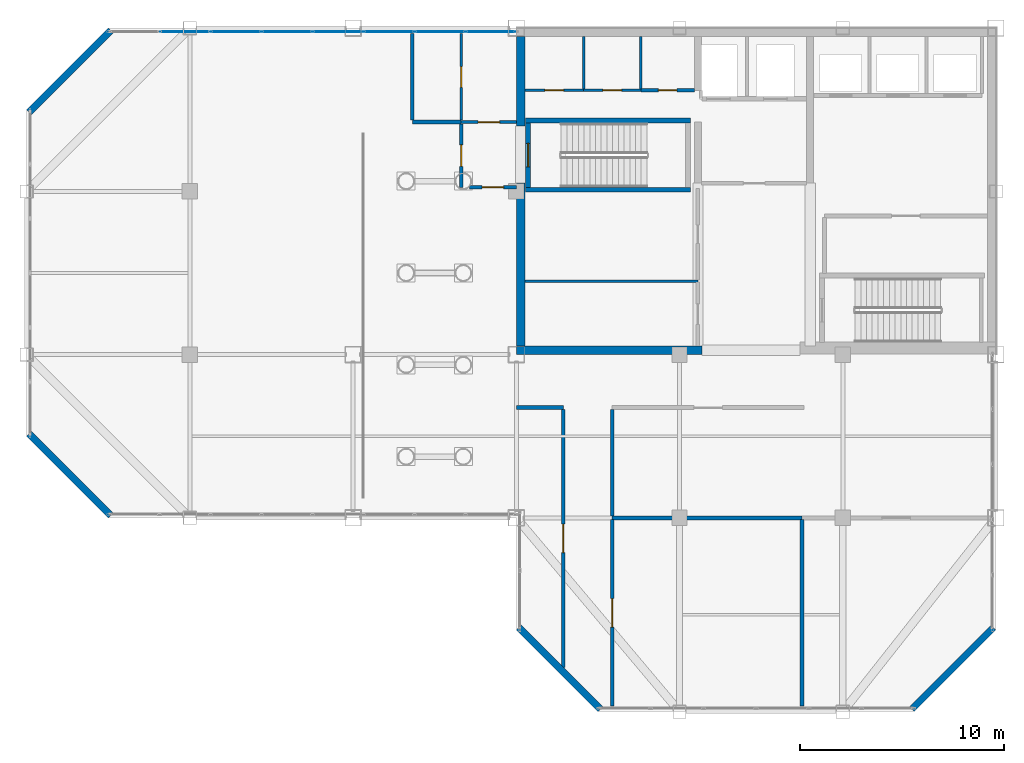
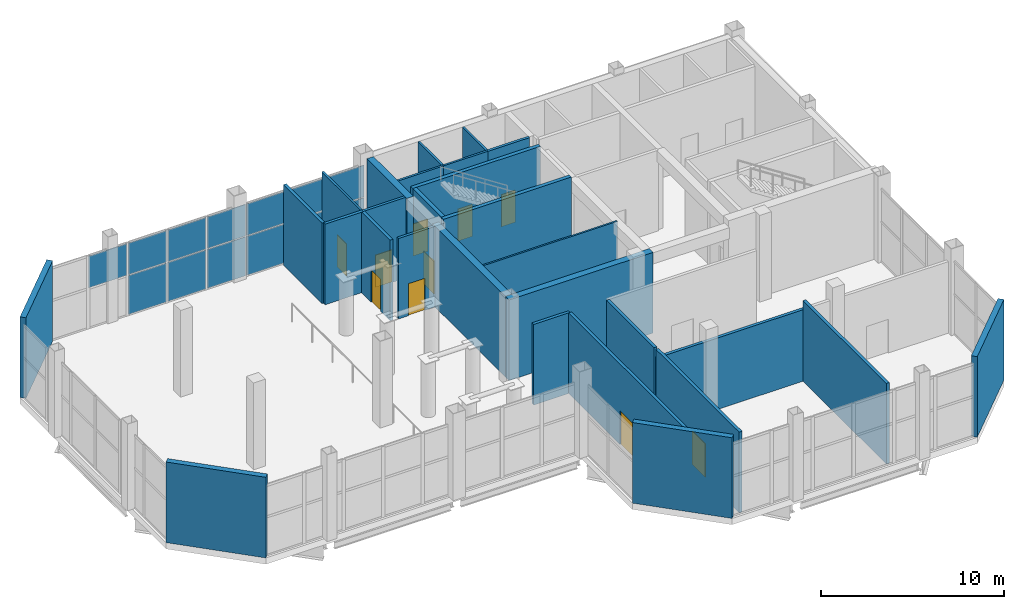
# One storey, part 14 of 18: 28 walls, 13 plates, 10 doors, 10 openings, 1 element without a shape of its own.
"""IFC4 building model written with IfcOpenShell, lengths in metres."""

from ifc_helpers import new_model, si_unit, direction, frame, frame_2d, origin, origin_2d, place, context, subcontext, project, spatial, rectangle, extrude, material, layer, layer_set, type_object, element, fill, aggregate, save


model = new_model("IFC4")

# Units and contexts
model_context = context("Model", 3, precision=1e-05, world=origin(), true_north=direction((0.0, 1.0)))
body_context = subcontext(model_context, "Body", "Model", "MODEL_VIEW")
ifc_project = project(units=[si_unit("LENGTHUNIT", "METRE"), si_unit("AREAUNIT", "SQUARE_METRE"), si_unit("VOLUMEUNIT", "CUBIC_METRE"), si_unit("PLANEANGLEUNIT", "RADIAN"), si_unit("MASSUNIT", "GRAM", prefix="KILO")], contexts=[model_context])

# Site, building, storey
site_placement = place(None, origin())
site = spatial("IfcSite", under=ifc_project, at=site_placement, CompositionType="ELEMENT")
building_placement = place(site_placement, origin())
building = spatial("IfcBuilding", under=site, at=building_placement, Name="Qianrong Seaharbour Tower", CompositionType="ELEMENT")
storey_placement = place(building_placement, frame((0.0, 0.0, 367.199951171875)))
storey = spatial("IfcBuildingStorey", under=building, at=storey_placement, Name="L89", CompositionType="ELEMENT", Elevation=367.199951171875)

# Curtain wall, plates
ifc_material_1 = material(Name="Anodised aluminium 6063-T6 and laminated low-e glass", Category="aluminium")
ifc_layer_1 = layer(ifc_material_1, 0.22998046875)
ifc_layer_set_1 = layer_set([ifc_layer_1], Name="Anodised aluminium 6063-T6 and laminated low-e glass")
curtain_wall_type = type_object("IfcCurtainWallType", Name="CW-SYS-5", PredefinedType="NOTDEFINED", material=ifc_layer_set_1)
curtain_wall_placement = place(storey_placement, origin())
curtain_wall = element("IfcCurtainWall", 1, at=curtain_wall_placement, inside=storey, type_object=curtain_wall_type, Name="L89 Venturi Wind-Turbine Shroud Curtain Wall NORTH_WING", PredefinedType="NOTDEFINED")
ifc_material_2 = material(Name="Anodised aluminium acoustic louvre cassette", Category="aluminium")
ifc_layer_2 = layer(ifc_material_2, 0.044921875)
ifc_layer_set_2 = layer_set([ifc_layer_2], Name="Anodised aluminium acoustic louvre cassette")
plate_type = type_object("IfcPlateType", Name="CW-PAN-LOUVRE-45", PredefinedType="CURTAIN_PANEL", material=ifc_layer_set_2)
plate_1_placement = place(storey_placement, frame((24.253662109375, 51.830078125, 2.7275390625), z_axis=(0.0, 0.0, 1.0), x_axis=(1.0, 0.0, 0.0)))
plate_1 = element("IfcPlate", 2, at=plate_1_placement, type_object=plate_type, Name="CW-5 panel 2.2", PredefinedType="CURTAIN_PANEL", context=body_context, shape_type="SweptSolid", body=[
    extrude(rectangle(XDim=2.422607421875, YDim=0.044921875, at=origin_2d()), origin(), (0.0, 0.0, 1.0), 2.107421875),
])
plate_2_placement = place(storey_placement, frame((26.75634765625, 51.830078125, 0.06494140625), z_axis=(0.0, 0.0, 1.0), x_axis=(1.0, 0.0, 0.0)))
plate_2 = element("IfcPlate", 3, at=plate_2_placement, type_object=plate_type, Name="CW-5 panel 3.1", PredefinedType="CURTAIN_PANEL", context=body_context, shape_type="SweptSolid", body=[
    extrude(rectangle(XDim=2.422607421875, YDim=0.044921875, at=origin_2d()), origin(), (0.0, 0.0, 1.0), 2.597412109375),
])
plate_3_placement = place(storey_placement, frame((26.75634765625, 51.830078125, 2.7275390625), z_axis=(0.0, 0.0, 1.0), x_axis=(1.0, 0.0, 0.0)))
plate_3 = element("IfcPlate", 4, at=plate_3_placement, type_object=plate_type, Name="CW-5 panel 3.2", PredefinedType="CURTAIN_PANEL", context=body_context, shape_type="SweptSolid", body=[
    extrude(rectangle(XDim=2.422607421875, YDim=0.044921875, at=origin_2d()), origin(), (0.0, 0.0, 1.0), 2.107421875),
])
plate_4_placement = place(storey_placement, frame((29.2587890625, 51.830078125, 0.06494140625), z_axis=(0.0, 0.0, 1.0), x_axis=(1.0, 0.0, 0.0)))
plate_4 = element("IfcPlate", 5, at=plate_4_placement, type_object=plate_type, Name="CW-5 panel 4.1", PredefinedType="CURTAIN_PANEL", context=body_context, shape_type="SweptSolid", body=[
    extrude(rectangle(XDim=2.422607421875, YDim=0.044921875, at=origin_2d()), origin(), (0.0, 0.0, 1.0), 2.597412109375),
])
plate_5_placement = place(storey_placement, frame((29.2587890625, 51.830078125, 2.7275390625), z_axis=(0.0, 0.0, 1.0), x_axis=(1.0, 0.0, 0.0)))
plate_5 = element("IfcPlate", 6, at=plate_5_placement, type_object=plate_type, Name="CW-5 panel 4.2", PredefinedType="CURTAIN_PANEL", context=body_context, shape_type="SweptSolid", body=[
    extrude(rectangle(XDim=2.422607421875, YDim=0.044921875, at=origin_2d()), origin(), (0.0, 0.0, 1.0), 2.107421875),
])
plate_6_placement = place(storey_placement, frame((31.76123046875, 51.830078125, 0.06494140625), z_axis=(0.0, 0.0, 1.0), x_axis=(1.0, 0.0, 0.0)))
plate_6 = element("IfcPlate", 7, at=plate_6_placement, type_object=plate_type, Name="CW-5 panel 5.1", PredefinedType="CURTAIN_PANEL", context=body_context, shape_type="SweptSolid", body=[
    extrude(rectangle(XDim=2.422607421875, YDim=0.044921875, at=origin_2d()), origin(), (0.0, 0.0, 1.0), 2.597412109375),
])
plate_7_placement = place(storey_placement, frame((31.76123046875, 51.830078125, 2.7275390625), z_axis=(0.0, 0.0, 1.0), x_axis=(1.0, 0.0, 0.0)))
plate_7 = element("IfcPlate", 8, at=plate_7_placement, type_object=plate_type, Name="CW-5 panel 5.2", PredefinedType="CURTAIN_PANEL", context=body_context, shape_type="SweptSolid", body=[
    extrude(rectangle(XDim=2.422607421875, YDim=0.044921875, at=origin_2d()), origin(), (0.0, 0.0, 1.0), 2.107421875),
])
plate_8_placement = place(storey_placement, frame((34.263671875, 51.830078125, 0.06494140625), z_axis=(0.0, 0.0, 1.0), x_axis=(1.0, 0.0, 0.0)))
plate_8 = element("IfcPlate", 9, at=plate_8_placement, type_object=plate_type, Name="CW-5 panel 6.1", PredefinedType="CURTAIN_PANEL", context=body_context, shape_type="SweptSolid", body=[
    extrude(rectangle(XDim=2.422607421875, YDim=0.044921875, at=origin_2d()), origin(), (0.0, 0.0, 1.0), 2.597412109375),
])
plate_9_placement = place(storey_placement, frame((34.263671875, 51.830078125, 2.7275390625), z_axis=(0.0, 0.0, 1.0), x_axis=(1.0, 0.0, 0.0)))
plate_9 = element("IfcPlate", 10, at=plate_9_placement, type_object=plate_type, Name="CW-5 panel 6.2", PredefinedType="CURTAIN_PANEL", context=body_context, shape_type="SweptSolid", body=[
    extrude(rectangle(XDim=2.422607421875, YDim=0.044921875, at=origin_2d()), origin(), (0.0, 0.0, 1.0), 2.107421875),
])
plate_10_placement = place(storey_placement, frame((36.766357421875, 51.830078125, 0.06494140625), z_axis=(0.0, 0.0, 1.0), x_axis=(1.0, 0.0, 0.0)))
plate_10 = element("IfcPlate", 11, at=plate_10_placement, type_object=plate_type, Name="CW-5 panel 7.1", PredefinedType="CURTAIN_PANEL", context=body_context, shape_type="SweptSolid", body=[
    extrude(rectangle(XDim=2.422607421875, YDim=0.044921875, at=origin_2d()), origin(), (0.0, 0.0, 1.0), 2.597412109375),
])
plate_11_placement = place(storey_placement, frame((36.766357421875, 51.830078125, 2.7275390625), z_axis=(0.0, 0.0, 1.0), x_axis=(1.0, 0.0, 0.0)))
plate_11 = element("IfcPlate", 12, at=plate_11_placement, type_object=plate_type, Name="CW-5 panel 7.2", PredefinedType="CURTAIN_PANEL", context=body_context, shape_type="SweptSolid", body=[
    extrude(rectangle(XDim=2.422607421875, YDim=0.044921875, at=origin_2d()), origin(), (0.0, 0.0, 1.0), 2.107421875),
])
plate_12_placement = place(storey_placement, frame((39.248779296875, 51.830078125, 0.06494140625), z_axis=(0.0, 0.0, 1.0), x_axis=(1.0, 0.0, 0.0)))
plate_12 = element("IfcPlate", 13, at=plate_12_placement, type_object=plate_type, Name="CW-5 panel 8.1", PredefinedType="CURTAIN_PANEL", context=body_context, shape_type="SweptSolid", body=[
    extrude(rectangle(XDim=2.382568359375, YDim=0.044921875, at=origin_2d()), origin(), (0.0, 0.0, 1.0), 2.597412109375),
])
plate_13_placement = place(storey_placement, frame((39.248779296875, 51.830078125, 2.7275390625), z_axis=(0.0, 0.0, 1.0), x_axis=(1.0, 0.0, 0.0)))
plate_13 = element("IfcPlate", 14, at=plate_13_placement, type_object=plate_type, Name="CW-5 panel 8.2", PredefinedType="CURTAIN_PANEL", context=body_context, shape_type="SweptSolid", body=[
    extrude(rectangle(XDim=2.382568359375, YDim=0.044921875, at=origin_2d()), origin(), (0.0, 0.0, 1.0), 2.107421875),
])
aggregate(curtain_wall, [plate_1, plate_2, plate_3, plate_4, plate_5, plate_6, plate_7, plate_8, plate_9, plate_10, plate_11, plate_12, plate_13])

# Walls
ifc_material_3 = material(Name="Concrete C50/60", Category="concrete")
ifc_layer_3 = layer(ifc_material_3, 0.419921875)
ifc_layer_set_3 = layer_set([ifc_layer_3], Name="Concrete C50/60")
wall_type_1 = type_object("IfcWallType", Name="WALL-CORE-420", PredefinedType="SHEAR", material=ifc_layer_set_3)
wall_1_placement = place(storey_placement, frame((40.7099609375, 36.419921875, 0.0), z_axis=(0.0, 0.0, 1.0), x_axis=(0.0, 1.0, 0.0)))
element("IfcWall", 15, at=wall_1_placement, inside=storey, type_object=wall_type_1, Name="L89 West Core Shear Wall South", PredefinedType="SHEAR", context=body_context, shape_type="SweptSolid", body=[
    extrude(rectangle(XDim=7.97998046875, YDim=0.419921875, at=frame_2d((3.989990234375, 0.0))), origin(), (0.0, 0.0, 1.0), 5.39013671875),
])
wall_2_placement = place(storey_placement, frame((40.7099609375, 47.199951171875, 0.0), z_axis=(0.0, 0.0, 1.0), x_axis=(0.0, 1.0, 0.0)))
element("IfcWall", 16, at=wall_2_placement, inside=storey, type_object=wall_type_1, Name="L89 West Core Shear Wall North", PredefinedType="SHEAR", context=body_context, shape_type="SweptSolid", body=[
    extrude(rectangle(XDim=4.380126953125, YDim=0.419921875, at=frame_2d((2.18994140625, 0.0))), origin(), (0.0, 0.0, 1.0), 5.39013671875),
])
wall_3_placement = place(storey_placement, frame((40.5, 36.2099609375, 0.0), z_axis=(0.0, 0.0, 1.0), x_axis=(1.0, 0.0, 0.0)))
element("IfcWall", 17, at=wall_3_placement, inside=storey, type_object=wall_type_1, Name="L89 South Core Shear Wall S1", PredefinedType="SHEAR", context=body_context, shape_type="SweptSolid", body=[
    extrude(rectangle(XDim=9.10009765625, YDim=0.419921875, at=frame_2d((4.550048828125, 0.0))), origin(), (0.0, 0.0, 1.0), 5.39013671875),
])

# Wall, opening, door
ifc_material_4 = material(Name="Fire-rated acoustic gypsum board partition")
ifc_layer_4 = layer(ifc_material_4, 0.1650390625)
ifc_layer_set_4 = layer_set([ifc_layer_4], Name="Fire-rated acoustic gypsum board partition")
wall_type_2 = type_object("IfcWallType", Name="WALL-CORR-PART-165", PredefinedType="PARTITIONING", material=ifc_layer_set_4)
wall_4_placement = place(storey_placement, frame((37.800048828125, 47.39990234375, 0.0), z_axis=(0.0, 0.0, 1.0), x_axis=(1.0, 0.0, 0.0)))
wall_4 = element("IfcWall", 18, at=wall_4_placement, inside=storey, type_object=wall_type_2, Name="L89 Interior Partition Wall 001", PredefinedType="PARTITIONING", context=body_context, shape_type="SweptSolid", body=[
    extrude(rectangle(XDim=2.699951171875, YDim=0.1650390625, at=frame_2d((1.35009765625, 0.0))), origin(), (0.0, 0.0, 1.0), 5.39013671875),
])
opening_1_placement = place(wall_4_placement, frame((0.824951171875, 0.0, 0.0)))
opening_1 = element("IfcOpeningElement", 19, at=opening_1_placement, cuts=wall_4, Name="Opening DC-01", PredefinedType="OPENING", context=body_context, shape_type="SweptSolid", body=[
    extrude(rectangle(XDim=1.050048828125, YDim=2.14990234375, at=frame_2d((0.52490234375, 1.074951171875))), frame((0.0, 0.092529296875, 0.0), z_axis=(0.0, -1.0, 0.0), x_axis=(1.0, 0.0, 0.0)), (0.0, 0.0, 1.0), 0.18505859375),
])
ifc_material_5 = material(Name="Acoustic timber and galvanized steel fire door assembly", Category="steel")
door_type_1 = type_object("IfcDoorType", Name="DOOR-CORR-FD60-1050x2150", OperationType="NOTDEFINED", PredefinedType="DOOR", material=ifc_material_5)
door_1_placement = place(opening_1_placement, origin())
door_1 = element("IfcDoor", 20, at=door_1_placement, inside=storey, type_object=door_type_1, Name="L89 Smokeproof Stair Vestibule ST-1 Door", OperationType="SINGLE_SWING_RIGHT", OverallHeight=2.14990234375, OverallWidth=1.050048828125, PredefinedType="DOOR", context=body_context, shape_type="SweptSolid", body=[
    extrude(rectangle(XDim=1.050048828125, YDim=2.14990234375, at=frame_2d((0.52490234375, 1.074951171875))), frame((0.0, 0.02490234375, 0.0), z_axis=(0.0, -1.0, 0.0), x_axis=(1.0, 0.0, 0.0)), (0.0, 0.0, 1.0), 0.050048828125),
])
fill(opening_1, door_1)

wall_5_placement = place(storey_placement, frame((40.5, 44.199951171875, 0.0), z_axis=(0.0, 0.0, 1.0), x_axis=(-1.0, 0.0, 0.0)))
wall_5 = element("IfcWall", 21, at=wall_5_placement, inside=storey, type_object=wall_type_2, Name="L89 Interior Partition Wall 002", PredefinedType="PARTITIONING", context=body_context, shape_type="SweptSolid", body=[
    extrude(rectangle(XDim=2.300048828125, YDim=0.1650390625, at=frame_2d((1.14990234375, 0.0))), origin(), (0.0, 0.0, 1.0), 5.39013671875),
])
opening_2_placement = place(wall_5_placement, frame((0.625, 0.0, 0.0)))
opening_2 = element("IfcOpeningElement", 22, at=opening_2_placement, cuts=wall_5, Name="Opening DC-01", PredefinedType="OPENING", context=body_context, shape_type="SweptSolid", body=[
    extrude(rectangle(XDim=1.050048828125, YDim=2.14990234375, at=frame_2d((0.52490234375, 1.074951171875))), frame((0.0, 0.092529296875, 0.0), z_axis=(0.0, -1.0, 0.0), x_axis=(1.0, 0.0, 0.0)), (0.0, 0.0, 1.0), 0.18505859375),
])
door_2_placement = place(opening_2_placement, origin())
door_2 = element("IfcDoor", 23, at=door_2_placement, inside=storey, type_object=door_type_1, Name="L89 Smokeproof Stair Vestibule ST-1 Door", OperationType="SINGLE_SWING_LEFT", OverallHeight=2.14990234375, OverallWidth=1.050048828125, PredefinedType="DOOR", context=body_context, shape_type="SweptSolid", body=[
    extrude(rectangle(XDim=1.050048828125, YDim=2.14990234375, at=frame_2d((0.52490234375, 1.074951171875))), frame((0.0, 0.02490234375, 0.0), z_axis=(0.0, -1.0, 0.0), x_axis=(1.0, 0.0, 0.0)), (0.0, 0.0, 1.0), 0.050048828125),
])
fill(opening_2, door_2)

wall_6_placement = place(storey_placement, frame((46.60009765625, 48.949951171875, 0.0), z_axis=(0.0, 0.0, 1.0), x_axis=(1.0, 0.0, 0.0)))
wall_6 = element("IfcWall", 24, at=wall_6_placement, inside=storey, type_object=wall_type_2, Name="L89 Interior Partition Wall 009", PredefinedType="PARTITIONING", context=body_context, shape_type="SweptSolid", body=[
    extrude(rectangle(XDim=2.6328125, YDim=0.1650390625, at=frame_2d((1.31640625, 0.0))), origin(), (0.0, 0.0, 1.0), 5.39013671875),
])
opening_3_placement = place(wall_6_placement, frame((0.866455078125, 0.0, 0.0)))
opening_3 = element("IfcOpeningElement", 25, at=opening_3_placement, cuts=wall_6, Name="Opening DS-01", PredefinedType="OPENING", context=body_context, shape_type="SweptSolid", body=[
    extrude(rectangle(XDim=0.89990234375, YDim=2.14990234375, at=frame_2d((0.449951171875, 1.074951171875))), frame((0.0, 0.092529296875, 0.0), z_axis=(0.0, -1.0, 0.0), x_axis=(1.0, 0.0, 0.0)), (0.0, 0.0, 1.0), 0.18505859375),
])
door_type_2 = type_object("IfcDoorType", Name="DOOR-STORE-900x2150", OperationType="NOTDEFINED", PredefinedType="DOOR", material=ifc_material_5)
door_3_placement = place(opening_3_placement, origin())
door_3 = element("IfcDoor", 26, at=door_3_placement, inside=storey, type_object=door_type_2, Name="L89 Cleaner Store Room Door", OperationType="SINGLE_SWING_RIGHT", OverallHeight=2.14990234375, OverallWidth=0.89990234375, PredefinedType="DOOR", context=body_context, shape_type="SweptSolid", body=[
    extrude(rectangle(XDim=0.89990234375, YDim=2.14990234375, at=frame_2d((0.449951171875, 1.074951171875))), frame((0.0, 0.02490234375, 0.0), z_axis=(0.0, -1.0, 0.0), x_axis=(1.0, 0.0, 0.0)), (0.0, 0.0, 1.0), 0.050048828125),
])
fill(opening_3, door_3)

# Walls
ifc_material_6 = material(Name="Demountable aluminium-framed acoustic office partition", Category="aluminium")
ifc_layer_5 = layer(ifc_material_6, 0.110107421875)
ifc_layer_set_5 = layer_set([ifc_layer_5], Name="Demountable aluminium-framed acoustic office partition")
wall_type_3 = type_object("IfcWallType", Name="WALL-DEMOUNT-110", PredefinedType="MOVABLE", material=ifc_layer_set_5)
wall_7_placement = place(storey_placement, frame((40.919921875, 39.60009765625, 0.0), z_axis=(0.0, 0.0, 1.0), x_axis=(1.0, 0.0, 0.0)))
element("IfcWall", 27, at=wall_7_placement, inside=storey, type_object=wall_type_3, Name="L89 Interior Partition Wall 014", PredefinedType="MOVABLE", context=body_context, shape_type="SweptSolid", body=[
    extrude(rectangle(XDim=8.47998046875, YDim=0.110107421875, at=frame_2d((4.239990234375, 0.0))), origin(), (0.0, 0.0, 1.0), 5.39013671875),
])
ifc_material_7 = material(Name="Unitised buff brick on Precast concrete C45/55", Category="masonry")
ifc_layer_6 = layer(ifc_material_7, 0.340087890625)
ifc_layer_set_6 = layer_set([ifc_layer_6], Name="Unitised buff brick on Precast concrete C45/55")
wall_type_4 = type_object("IfcWallType", Name="WALL-EXT-BRICK-BUFF-340", PredefinedType="SOLIDWALL", material=ifc_layer_set_6)
for number, where, z_axis, x_axis, name in (
    (28, (20.6201171875, 28.1201171875, 0.0), (0.0, 0.0, 1.0), (-0.707106781187, 0.707106781187, 0.0), "L89 Exterior Masonry Facade Wall E02"),
    (29, (16.6201171875, 47.8798828125, 0.0), (0.0, 0.0, 1.0), (0.707106781187, 0.707106781187, 0.0), "L89 Exterior Masonry Facade Wall E04"),
    (30, (63.8798828125, 22.6201171875, 0.0), (0.0, 0.0, 1.0), (-0.707106781187, -0.707106781187, 0.0), "L89 Exterior Masonry Facade Wall E07"),
    (31, (44.6201171875, 18.6201171875, 0.0), (0.0, 0.0, 1.0), (-0.707106781187, 0.707106781187, 0.0), "L89 Exterior Masonry Facade Wall E09"),
):
    element("IfcWall", number, at=place(storey_placement, frame(where, z_axis=z_axis, x_axis=x_axis)), inside=storey, type_object=wall_type_4, Name=name, PredefinedType="SOLIDWALL", context=body_context, shape_type="SweptSolid", body=[
        extrude(rectangle(XDim=5.65673828125, YDim=0.340087890625, at=frame_2d((2.828369140625, 0.0))), origin(), (0.0, 0.0, 1.0), 5.39013671875),
    ])

# Wall, opening, door
ifc_material_8 = material(Name="Double fire-rated gypsum board acoustic partition")
ifc_layer_7 = layer(ifc_material_8, 0.18994140625)
ifc_layer_set_7 = layer_set([ifc_layer_7], Name="Double fire-rated gypsum board acoustic partition")
wall_type_5 = type_object("IfcWallType", Name="WALL-FIRE-PART-190", PredefinedType="PARTITIONING", material=ifc_layer_set_7)
wall_8_placement = place(storey_placement, frame((37.800048828125, 44.199951171875, 0.0), z_axis=(0.0, 0.0, 1.0), x_axis=(0.0, 1.0, 0.0)))
wall_8 = element("IfcWall", 32, at=wall_8_placement, inside=storey, type_object=wall_type_5, Name="L89 Interior Partition Wall 003", PredefinedType="PARTITIONING", context=body_context, shape_type="SweptSolid", body=[
    extrude(rectangle(XDim=3.113037109375, YDim=0.18994140625, at=frame_2d((1.556640625, 0.0))), origin(), (0.0, 0.0, 1.0), 5.39013671875),
])
opening_4_placement = place(wall_8_placement, frame((1.031494140625, 0.0, 0.0)))
opening_4 = element("IfcOpeningElement", 33, at=opening_4_placement, cuts=wall_8, Name="Opening DC-01", PredefinedType="OPENING", context=body_context, shape_type="SweptSolid", body=[
    extrude(rectangle(XDim=1.050048828125, YDim=2.14990234375, at=frame_2d((0.52490234375, 1.074951171875))), frame((0.0, 0.10498046875, 0.0), z_axis=(0.0, -1.0, 0.0), x_axis=(1.0, 0.0, 0.0)), (0.0, 0.0, 1.0), 0.2099609375),
])
door_4_placement = place(opening_4_placement, origin())
door_4 = element("IfcDoor", 34, at=door_4_placement, inside=storey, type_object=door_type_1, Name="L89 Smokeproof Stair Vestibule ST-1 Door", OperationType="SINGLE_SWING_LEFT", OverallHeight=2.14990234375, OverallWidth=1.050048828125, PredefinedType="DOOR", context=body_context, shape_type="SweptSolid", body=[
    extrude(rectangle(XDim=1.050048828125, YDim=2.14990234375, at=frame_2d((0.52490234375, 1.074951171875))), frame((0.0, 0.02490234375, 0.0), z_axis=(0.0, -1.0, 0.0), x_axis=(1.0, 0.0, 0.0)), (0.0, 0.0, 1.0), 0.050048828125),
])
fill(opening_4, door_4)

# Walls
wall_9_placement = place(storey_placement, frame((37.800048828125, 47.39990234375, 0.0), z_axis=(0.0, 0.0, 1.0), x_axis=(-1.0, 0.0, 0.0)))
element("IfcWall", 35, at=wall_9_placement, inside=storey, type_object=wall_type_5, Name="L89 Interior Partition Wall 005", PredefinedType="PARTITIONING", context=body_context, shape_type="SweptSolid", body=[
    extrude(rectangle(XDim=2.400146484375, YDim=0.18994140625, at=frame_2d((1.2001953125, 0.0))), origin(), (0.0, 0.0, 1.0), 5.39013671875),
])
wall_10_placement = place(storey_placement, frame((35.39990234375, 47.487060546875, 0.0), z_axis=(0.0, 0.0, 1.0), x_axis=(0.0, 1.0, 0.0)))
element("IfcWall", 36, at=wall_10_placement, inside=storey, type_object=wall_type_5, Name="L89 Interior Partition Wall 006", PredefinedType="PARTITIONING", context=body_context, shape_type="SweptSolid", body=[
    extrude(rectangle(XDim=4.240966796875, YDim=0.18994140625, at=frame_2d((2.12060546875, 0.0))), origin(), (0.0, 0.0, 1.0), 5.39013671875),
])
wall_11_placement = place(storey_placement, frame((42.800048828125, 33.39990234375, 0.0), z_axis=(0.0, 0.0, 1.0), x_axis=(-1.0, 0.0, 0.0)))
element("IfcWall", 37, at=wall_11_placement, inside=storey, type_object=wall_type_5, Name="L89 Interior Partition Wall 019", PredefinedType="PARTITIONING", context=body_context, shape_type="SweptSolid", body=[
    extrude(rectangle(XDim=2.300048828125, YDim=0.18994140625, at=frame_2d((1.14990234375, 0.0))), origin(), (0.0, 0.0, 1.0), 5.39013671875),
])
wall_12_placement = place(storey_placement, frame((45.199951171875, 33.31298828125, 0.0), z_axis=(0.0, 0.0, 1.0), x_axis=(0.0, -1.0, 0.0)))
element("IfcWall", 38, at=wall_12_placement, inside=storey, type_object=wall_type_5, Name="L89 Interior Partition Wall 020", PredefinedType="PARTITIONING", context=body_context, shape_type="SweptSolid", body=[
    extrude(rectangle(XDim=5.22607421875, YDim=0.18994140625, at=frame_2d((2.613037109375, 0.0))), origin(), (0.0, 0.0, 1.0), 5.39013671875),
])

# Wall, opening, door
wall_13_placement = place(storey_placement, frame((45.199951171875, 27.9130859375, 0.0), z_axis=(0.0, 0.0, 1.0), x_axis=(0.0, -1.0, 0.0)))
wall_13 = element("IfcWall", 39, at=wall_13_placement, inside=storey, type_object=wall_type_5, Name="L89 Interior Partition Wall 021", PredefinedType="PARTITIONING", context=body_context, shape_type="SweptSolid", body=[
    extrude(rectangle(XDim=9.14111328125, YDim=0.18994140625, at=frame_2d((4.570556640625, 0.0))), origin(), (0.0, 0.0, 1.0), 5.39013671875),
])
opening_5_placement = place(wall_13_placement, frame((3.87060546875, 0.0, 0.0)))
opening_5 = element("IfcOpeningElement", 40, at=opening_5_placement, cuts=wall_13, Name="Opening DP-01", PredefinedType="OPENING", context=body_context, shape_type="SweptSolid", body=[
    extrude(rectangle(XDim=1.39990234375, YDim=2.25, at=frame_2d((0.699951171875, 1.125))), frame((0.0, 0.10498046875, 0.0), z_axis=(0.0, -1.0, 0.0), x_axis=(1.0, 0.0, 0.0)), (0.0, 0.0, 1.0), 0.2099609375),
])
door_type_3 = type_object("IfcDoorType", Name="DOOR-PLANT-PAIR-1400x2250", OperationType="DOUBLE_DOOR_SINGLE_SWING", PredefinedType="DOOR", material=ifc_material_5)
door_5_placement = place(opening_5_placement, origin())
door_5 = element("IfcDoor", 41, at=door_5_placement, inside=storey, type_object=door_type_3, Name="L89 Air Handling Fan Room Door", OperationType="DOUBLE_DOOR_SINGLE_SWING", OverallHeight=2.25, OverallWidth=1.39990234375, PredefinedType="DOOR", context=body_context, shape_type="SweptSolid", body=[
    extrude(rectangle(XDim=1.39990234375, YDim=2.25, at=frame_2d((0.699951171875, 1.125))), frame((0.0, 0.02490234375, 0.0), z_axis=(0.0, -1.0, 0.0), x_axis=(1.0, 0.0, 0.0)), (0.0, 0.0, 1.0), 0.050048828125),
])
fill(opening_5, door_5)

wall_14_placement = place(storey_placement, frame((42.800048828125, 20.66943359375, 0.0), z_axis=(0.0, 0.0, 1.0), x_axis=(0.0, 1.0, 0.0)))
wall_14 = element("IfcWall", 42, at=wall_14_placement, inside=storey, type_object=wall_type_5, Name="L89 Interior Partition Wall 022", PredefinedType="PARTITIONING", context=body_context, shape_type="SweptSolid", body=[
    extrude(rectangle(XDim=12.6435546875, YDim=0.18994140625, at=frame_2d((6.32177734375, 0.0))), origin(), (0.0, 0.0, 1.0), 5.39013671875),
])
opening_6_placement = place(wall_14_placement, frame((5.62158203125, 0.0, 0.0)))
opening_6 = element("IfcOpeningElement", 43, at=opening_6_placement, cuts=wall_14, Name="Opening DP-01", PredefinedType="OPENING", context=body_context, shape_type="SweptSolid", body=[
    extrude(rectangle(XDim=1.39990234375, YDim=2.25, at=frame_2d((0.699951171875, 1.125))), frame((0.0, 0.10498046875, 0.0), z_axis=(0.0, -1.0, 0.0), x_axis=(1.0, 0.0, 0.0)), (0.0, 0.0, 1.0), 0.2099609375),
])
door_6_placement = place(opening_6_placement, origin())
door_6 = element("IfcDoor", 44, at=door_6_placement, inside=storey, type_object=door_type_3, Name="L89 Turbine Maintenance Plant Room Door", OperationType="DOUBLE_DOOR_SINGLE_SWING", OverallHeight=2.25, OverallWidth=1.39990234375, PredefinedType="DOOR", context=body_context, shape_type="SweptSolid", body=[
    extrude(rectangle(XDim=1.39990234375, YDim=2.25, at=frame_2d((0.699951171875, 1.125))), frame((0.0, 0.02490234375, 0.0), z_axis=(0.0, -1.0, 0.0), x_axis=(1.0, 0.0, 0.0)), (0.0, 0.0, 1.0), 0.050048828125),
])
fill(opening_6, door_6)

# Walls
wall_15_placement = place(storey_placement, frame((54.5, 28.0, 0.0), z_axis=(0.0, 0.0, 1.0), x_axis=(-1.0, 0.0, 0.0)))
element("IfcWall", 45, at=wall_15_placement, inside=storey, type_object=wall_type_5, Name="L89 Interior Partition Wall 023", PredefinedType="PARTITIONING", context=body_context, shape_type="SweptSolid", body=[
    extrude(rectangle(XDim=9.300048828125, YDim=0.18994140625, at=frame_2d((4.64990234375, 0.0))), origin(), (0.0, 0.0, 1.0), 4.781982421875),
])
wall_16_placement = place(storey_placement, frame((54.5, 27.9130859375, 0.0), z_axis=(0.0, 0.0, 1.0), x_axis=(0.0, -1.0, 0.0)))
element("IfcWall", 46, at=wall_16_placement, inside=storey, type_object=wall_type_5, Name="L89 Interior Partition Wall 025", PredefinedType="PARTITIONING", context=body_context, shape_type="SweptSolid", body=[
    extrude(rectangle(XDim=9.14111328125, YDim=0.18994140625, at=frame_2d((4.570556640625, 0.0))), origin(), (0.0, 0.0, 1.0), 5.39013671875),
])
ifc_layer_8 = layer(ifc_material_3, 0.239990234375)
ifc_layer_set_8 = layer_set([ifc_layer_8], Name="Concrete C50/60")
wall_type_6 = type_object("IfcWallType", Name="WALL-SHAFT-RC240", PredefinedType="SOLIDWALL", material=ifc_layer_set_8)
for number, where, z_axis, x_axis, name in (
    (47, (40.9599609375, 47.469970703125, 0.0), (0.0, 0.0, 1.0), (1.0, 0.0, 0.0), "L89 ST-1 Structural Stair Core Wall N"),
    (48, (49.0400390625, 44.080078125, 0.0), (0.0, 0.0, 1.0), (-1.0, 0.0, 0.0), "L89 ST-1 Structural Stair Core Wall S"),
):
    element("IfcWall", number, at=place(storey_placement, frame(where, z_axis=z_axis, x_axis=x_axis)), inside=storey, type_object=wall_type_6, Name=name, PredefinedType="SOLIDWALL", context=body_context, shape_type="SweptSolid", body=[
        extrude(rectangle(XDim=8.080078125, YDim=0.239990234375, at=frame_2d((4.0400390625, 0.0))), origin(), (0.0, 0.0, 1.0), 5.800048828125),
    ])

# Wall, opening, door
wall_17_placement = place(storey_placement, frame((41.080078125, 47.35009765625, 0.0), z_axis=(0.0, 0.0, 1.0), x_axis=(0.0, -1.0, 0.0)))
wall_17 = element("IfcWall", 49, at=wall_17_placement, inside=storey, type_object=wall_type_6, Name="L89 ST-1 Structural Stair Core Wall W", PredefinedType="SOLIDWALL", context=body_context, shape_type="SweptSolid", body=[
    extrude(rectangle(XDim=3.150146484375, YDim=0.239990234375, at=frame_2d((1.5751953125, 0.0))), origin(), (0.0, 0.0, 1.0), 5.800048828125),
])
opening_7_placement = place(wall_17_placement, frame((1.0, 0.0, 0.0)))
opening_7 = element("IfcOpeningElement", 50, at=opening_7_placement, cuts=wall_17, Name="Opening SD-01", PredefinedType="OPENING", context=body_context, shape_type="SweptSolid", body=[
    extrude(rectangle(XDim=1.14990234375, YDim=2.199951171875, at=frame_2d((0.574951171875, 1.10009765625))), frame((0.0, 0.1298828125, 0.0), z_axis=(0.0, -1.0, 0.0), x_axis=(1.0, 0.0, 0.0)), (0.0, 0.0, 1.0), 0.260009765625),
])
door_type_4 = type_object("IfcDoorType", Name="DOOR-STAIR-FD60-1150x2200", OperationType="NOTDEFINED", PredefinedType="DOOR", material=ifc_material_5)
door_7_placement = place(opening_7_placement, origin())
door_7 = element("IfcDoor", 51, at=door_7_placement, inside=storey, type_object=door_type_4, Name="L89 ST-1 Protected Stair Door", OperationType="SINGLE_SWING_RIGHT", OverallHeight=2.199951171875, OverallWidth=1.14990234375, PredefinedType="DOOR", context=body_context, shape_type="SweptSolid", body=[
    extrude(rectangle(XDim=1.14990234375, YDim=2.199951171875, at=frame_2d((0.574951171875, 1.10009765625))), frame((0.0, 0.02490234375, 0.0), z_axis=(0.0, -1.0, 0.0), x_axis=(1.0, 0.0, 0.0)), (0.0, 0.0, 1.0), 0.050048828125),
])
fill(opening_7, door_7)

ifc_material_9 = material(Name="Water-resistant cement board sanitary partition")
ifc_layer_9 = layer(ifc_material_9, 0.1298828125)
ifc_layer_set_9 = layer_set([ifc_layer_9], Name="Water-resistant cement board sanitary partition")
wall_type_7 = type_object("IfcWallType", Name="WALL-WET-PART-130", PredefinedType="PARTITIONING", material=ifc_layer_set_9)
wall_18_placement = place(storey_placement, frame((37.800048828125, 47.487060546875, 0.0), z_axis=(0.0, 0.0, 1.0), x_axis=(0.0, 1.0, 0.0)))
wall_18 = element("IfcWall", 52, at=wall_18_placement, inside=storey, type_object=wall_type_7, Name="L89 Interior Partition Wall 004", PredefinedType="PARTITIONING", context=body_context, shape_type="SweptSolid", body=[
    extrude(rectangle(XDim=4.240966796875, YDim=0.1298828125, at=frame_2d((2.12060546875, 0.0))), origin(), (0.0, 0.0, 1.0), 5.39013671875),
])
opening_8_placement = place(wall_18_placement, frame((1.610595703125, 0.0, 0.0)))
opening_8 = element("IfcOpeningElement", 53, at=opening_8_placement, cuts=wall_18, Name="Opening DAW-01", PredefinedType="OPENING", context=body_context, shape_type="SweptSolid", body=[
    extrude(rectangle(XDim=1.02001953125, YDim=2.14990234375, at=frame_2d((0.510009765625, 1.074951171875))), frame((0.0, 0.074951171875, 0.0), z_axis=(0.0, -1.0, 0.0), x_axis=(1.0, 0.0, 0.0)), (0.0, 0.0, 1.0), 0.14990234375),
])
door_type_5 = type_object("IfcDoorType", Name="DOOR-AWC-SLIDE-1020x2150", OperationType="SLIDING_TO_LEFT", PredefinedType="DOOR", material=ifc_material_5)
door_8_placement = place(opening_8_placement, origin())
door_8 = element("IfcDoor", 54, at=door_8_placement, inside=storey, type_object=door_type_5, Name="L89 Accessible Restroom WC Door", OperationType="SLIDING_TO_LEFT", OverallHeight=2.14990234375, OverallWidth=1.02001953125, PredefinedType="DOOR", context=body_context, shape_type="SweptSolid", body=[
    extrude(rectangle(XDim=1.02001953125, YDim=2.14990234375, at=frame_2d((0.510009765625, 1.074951171875))), frame((0.0, 0.02490234375, 0.0), z_axis=(0.0, -1.0, 0.0), x_axis=(1.0, 0.0, 0.0)), (0.0, 0.0, 1.0), 0.050048828125),
])
fill(opening_8, door_8)

wall_19_placement = place(storey_placement, frame((40.919921875, 48.949951171875, 0.0), z_axis=(0.0, 0.0, 1.0), x_axis=(1.0, 0.0, 0.0)))
wall_19 = element("IfcWall", 55, at=wall_19_placement, inside=storey, type_object=wall_type_7, Name="L89 Interior Partition Wall 007", PredefinedType="PARTITIONING", context=body_context, shape_type="SweptSolid", body=[
    extrude(rectangle(XDim=2.880126953125, YDim=0.1298828125, at=frame_2d((1.43994140625, 0.0))), origin(), (0.0, 0.0, 1.0), 5.39013671875),
])
opening_9_placement = place(wall_19_placement, frame((0.97998046875, 0.0, 0.0)))
opening_9 = element("IfcOpeningElement", 56, at=opening_9_placement, cuts=wall_19, Name="Opening DW-01", PredefinedType="OPENING", context=body_context, shape_type="SweptSolid", body=[
    extrude(rectangle(XDim=0.919921875, YDim=2.14990234375, at=frame_2d((0.4599609375, 1.074951171875))), frame((0.0, 0.074951171875, 0.0), z_axis=(0.0, -1.0, 0.0), x_axis=(1.0, 0.0, 0.0)), (0.0, 0.0, 1.0), 0.14990234375),
])
door_type_6 = type_object("IfcDoorType", Name="DOOR-WC-920x2150", OperationType="NOTDEFINED", PredefinedType="DOOR", material=ifc_material_5)
door_9_placement = place(opening_9_placement, origin())
door_9 = element("IfcDoor", 57, at=door_9_placement, inside=storey, type_object=door_type_6, Name="L89 Male Restroom WC Door", OperationType="SINGLE_SWING_RIGHT", OverallHeight=2.14990234375, OverallWidth=0.919921875, PredefinedType="DOOR", context=body_context, shape_type="SweptSolid", body=[
    extrude(rectangle(XDim=0.919921875, YDim=2.14990234375, at=frame_2d((0.4599609375, 1.074951171875))), frame((0.0, 0.02490234375, 0.0), z_axis=(0.0, -1.0, 0.0), x_axis=(1.0, 0.0, 0.0)), (0.0, 0.0, 1.0), 0.050048828125),
])
fill(opening_9, door_9)

wall_20_placement = place(storey_placement, frame((43.800048828125, 48.949951171875, 0.0), z_axis=(0.0, 0.0, 1.0), x_axis=(1.0, 0.0, 0.0)))
wall_20 = element("IfcWall", 58, at=wall_20_placement, inside=storey, type_object=wall_type_7, Name="L89 Interior Partition Wall 008", PredefinedType="PARTITIONING", context=body_context, shape_type="SweptSolid", body=[
    extrude(rectangle(XDim=2.800048828125, YDim=0.1298828125, at=frame_2d((1.39990234375, 0.0))), origin(), (0.0, 0.0, 1.0), 5.39013671875),
])
opening_10_placement = place(wall_20_placement, frame((0.93994140625, 0.0, 0.0)))
opening_10 = element("IfcOpeningElement", 59, at=opening_10_placement, cuts=wall_20, Name="Opening DW-01", PredefinedType="OPENING", context=body_context, shape_type="SweptSolid", body=[
    extrude(rectangle(XDim=0.919921875, YDim=2.14990234375, at=frame_2d((0.4599609375, 1.074951171875))), frame((0.0, 0.074951171875, 0.0), z_axis=(0.0, -1.0, 0.0), x_axis=(1.0, 0.0, 0.0)), (0.0, 0.0, 1.0), 0.14990234375),
])
door_10_placement = place(opening_10_placement, origin())
door_10 = element("IfcDoor", 60, at=door_10_placement, inside=storey, type_object=door_type_6, Name="L89 Female Restroom WC Door", OperationType="SINGLE_SWING_LEFT", OverallHeight=2.14990234375, OverallWidth=0.919921875, PredefinedType="DOOR", context=body_context, shape_type="SweptSolid", body=[
    extrude(rectangle(XDim=0.919921875, YDim=2.14990234375, at=frame_2d((0.4599609375, 1.074951171875))), frame((0.0, 0.02490234375, 0.0), z_axis=(0.0, -1.0, 0.0), x_axis=(1.0, 0.0, 0.0)), (0.0, 0.0, 1.0), 0.050048828125),
])
fill(opening_10, door_10)

# Walls
wall_21_placement = place(storey_placement, frame((43.800048828125, 51.580078125, 0.0), z_axis=(0.0, 0.0, 1.0), x_axis=(0.0, -1.0, 0.0)))
element("IfcWall", 61, at=wall_21_placement, inside=storey, type_object=wall_type_7, Name="L89 Interior Partition Wall 016", PredefinedType="PARTITIONING", context=body_context, shape_type="SweptSolid", body=[
    extrude(rectangle(XDim=2.572998046875, YDim=0.1298828125, at=frame_2d((1.28662109375, 0.0))), origin(), (0.0, 0.0, 1.0), 5.39013671875),
])
wall_22_placement = place(storey_placement, frame((46.60009765625, 51.580078125, 0.0), z_axis=(0.0, 0.0, 1.0), x_axis=(0.0, -1.0, 0.0)))
element("IfcWall", 62, at=wall_22_placement, inside=storey, type_object=wall_type_7, Name="L89 Interior Partition Wall 017", PredefinedType="PARTITIONING", context=body_context, shape_type="SweptSolid", body=[
    extrude(rectangle(XDim=2.5556640625, YDim=0.1298828125, at=frame_2d((1.27783203125, 0.0))), origin(), (0.0, 0.0, 1.0), 5.39013671875),
])

save(model, "model.ifc")
